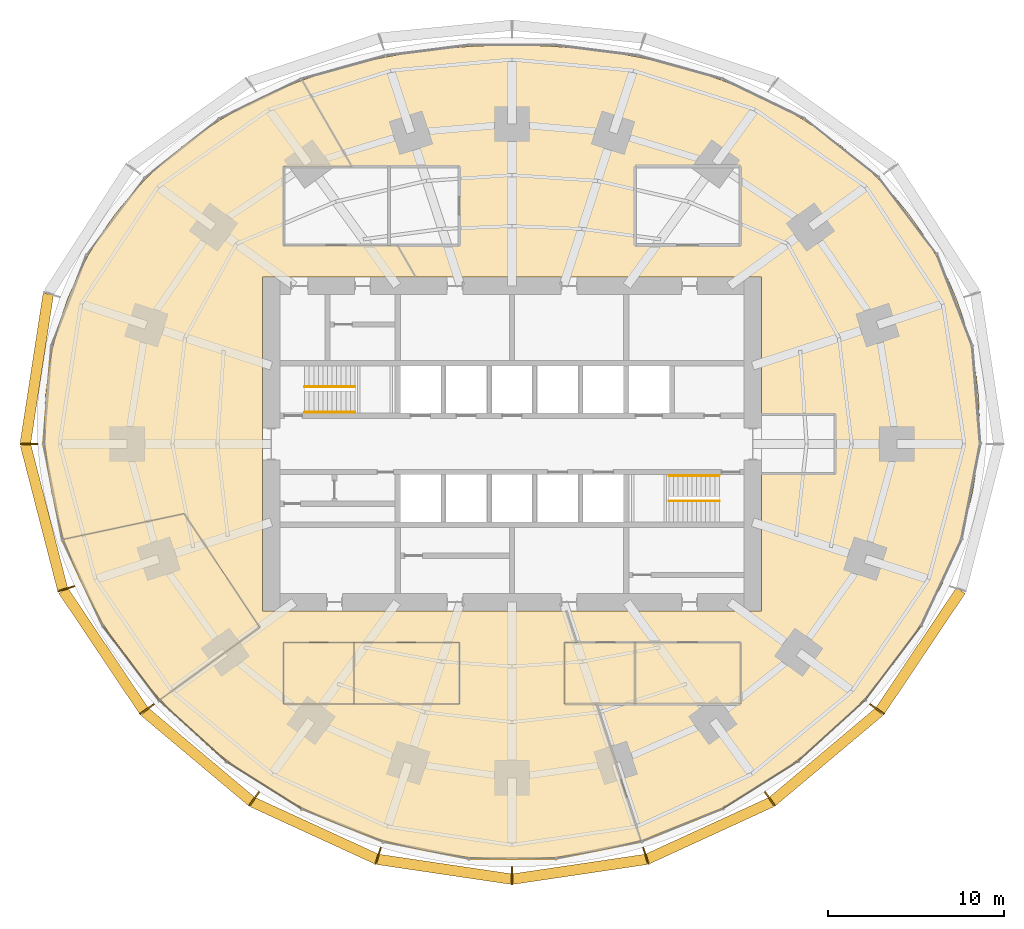
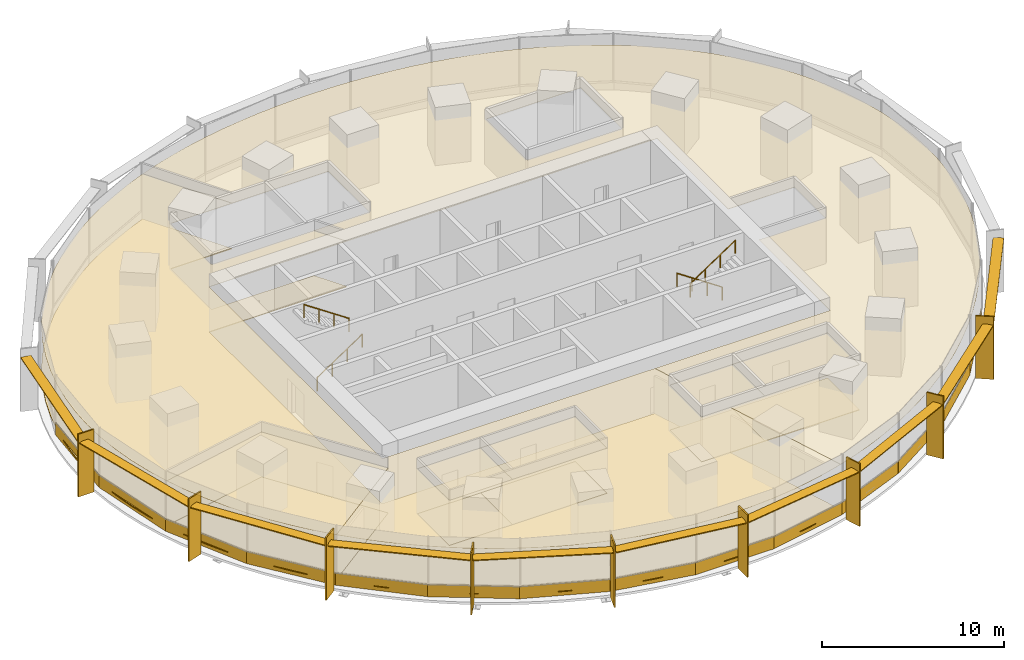
# One storey, part 14 of 15: 27 coverings, 19 shading devices, 4 railings.
"""IFC4 building model written with IfcOpenShell, lengths in metres."""

from ifc_helpers import new_model, si_unit, direction, frame, origin, origin_2d, place, context, subcontext, project, spatial, polyline, rectangle, circle, outline, extrude, material, layer, layer_set, type_object, element, save


model = new_model("IFC4")

# Units and contexts
model_context = context("Model", 3, precision=1e-05, world=origin(), true_north=direction((0.0, 1.0)))
body_context = subcontext(model_context, "Body", "Model", "MODEL_VIEW")
ifc_project = project(units=[si_unit("LENGTHUNIT", "METRE"), si_unit("AREAUNIT", "SQUARE_METRE"), si_unit("VOLUMEUNIT", "CUBIC_METRE"), si_unit("PLANEANGLEUNIT", "RADIAN"), si_unit("MASSUNIT", "GRAM", prefix="KILO")], contexts=[model_context])

# Site, building, storey
site_placement = place(None, origin())
site = spatial("IfcSite", under=ifc_project, at=site_placement, CompositionType="ELEMENT")
building_placement = place(site_placement, origin())
building = spatial("IfcBuilding", under=site, at=building_placement, Name="Marramba Exchange Tower", CompositionType="ELEMENT")
storey_placement = place(building_placement, frame((0.0, 0.0, 28.0)))
storey = spatial("IfcBuildingStorey", under=building, at=storey_placement, Name="L06", CompositionType="ELEMENT", Elevation=28.0)

# Shading devices
ifc_material_1 = material(Name="Aluminium blade, timber-look bronze finish", Category="wood")
ifc_layer_1 = layer(ifc_material_1, 0.080078125)
ifc_layer_set_1 = layer_set([ifc_layer_1], Name="Floor-edge blade 1000x80")
shading_device_type_1 = type_object("IfcShadingDeviceType", Name="Floor-edge blade 1000x80", PredefinedType="USERDEFINED", material=ifc_layer_set_1)
for number, where, z_axis, x_axis, name in (
    (1, (-27.5, 0.0, -0.16015625), (0.0, 0.0, 1.0), (-1.0, 0.0, 0.0), "Floor-edge blade FB1 L06 TC11"),
    (2, (-25.3740234375, -8.24462890625, -0.16015625), (0.0, 0.0, 1.0), (-0.951056516295, -0.309016994375, 0.0), "Floor-edge blade FB1 L06 TC12"),
    (3, (-20.773193359375, -15.092529296875, -0.16015625), (0.0, 0.0, 1.0), (-0.809016994375, -0.587785252292, 0.0), "Floor-edge blade FB1 L06 TC13"),
    (4, (-14.6787109375, -20.20361328125, -0.16015625), (0.0, 0.0, 1.0), (-0.587785252292, -0.809016994375, 0.0), "Floor-edge blade FB1 L06 TC14"),
    (5, (-7.61767578125, -23.444580078125, -0.16015625), (0.0, 0.0, 1.0), (-0.309016994375, -0.951056516295, 0.0), "Floor-edge blade FB1 L06 TC15"),
    (6, (0.0, -24.572021484375, -0.16015625), (0.0, 0.0, 1.0), (0.0, -1.0, 0.0), "Floor-edge blade FB1 L06 TC16"),
    (7, (7.61767578125, -23.444580078125, -0.16015625), (0.0, 0.0, 1.0), (0.309016994375, -0.951056516295, 0.0), "Floor-edge blade FB1 L06 TC17"),
    (8, (14.6787109375, -20.20361328125, -0.16015625), (0.0, 0.0, 1.0), (0.587785252292, -0.809016994375, 0.0), "Floor-edge blade FB1 L06 TC18"),
    (9, (20.773193359375, -15.092529296875, -0.16015625), (0.0, 0.0, 1.0), (0.809016994375, -0.587785252292, 0.0), "Floor-edge blade FB1 L06 TC19"),
):
    element("IfcShadingDevice", number, at=place(storey_placement, frame(where, z_axis=z_axis, x_axis=x_axis)), inside=storey, type_object=shading_device_type_1, Name=name, ObjectType="FIN", PredefinedType="USERDEFINED", context=body_context, shape_type="SweptSolid", body=[
        extrude(rectangle(XDim=1.0, YDim=0.080078125, at=origin_2d()), origin(), (0.0, 0.0, 1.0), 4.199951171875),
    ])

# Coverings
ifc_material_2 = material(Name="Steel raised access floor panels", Category="steel")
ifc_layer_2 = layer(ifc_material_2, 0.050048828125)
ifc_layer_set_2 = layer_set([ifc_layer_2], Name="Raised access floor 300")
covering_type_1 = type_object("IfcCoveringType", Name="Raised access floor 300", PredefinedType="FLOORING", material=ifc_layer_set_2)
covering_1_placement = place(storey_placement, frame((0.0, 0.0, 0.25)))
element("IfcCovering", 10, at=covering_1_placement, inside=storey, type_object=covering_type_1, Name="Raised access floor RAF1 L06 Derivatives Trading Floor", PredefinedType="FLOORING", context=body_context, shape_type="SweptSolid", body=[
    extrude(outline(polyline([(-14.199951171875, -9.5), (3.086669921875, -9.5), (3.671630859375, -11.300048828125), (3.0, -11.300048828125), (3.0, -14.800048828125), (4.808837890625, -14.800048828125), (7.330078125, -22.56005859375), (6.1328125, -22.8876953125), (4.92236328125, -23.15771484375), (3.701416015625, -23.368896484375), (2.47216796875, -23.5205078125), (1.2373046875, -23.611572265625), (0.0, -23.64208984375), (-1.2373046875, -23.611572265625), (-2.47216796875, -23.5205078125), (-3.701416015625, -23.368896484375), (-4.92236328125, -23.15771484375), (-6.1328125, -22.8876953125), (-7.330078125, -22.56005859375), (-8.512451171875, -22.17578125), (-9.677734375, -21.736328125), (-10.82373046875, -21.242919921875), (-11.94921875, -20.69677734375), (-13.052490234375, -20.09912109375), (-14.132080078125, -19.451171875), (-15.1865234375, -18.75390625), (-16.21435546875, -18.0078125), (-17.213623046875, -17.213623046875), (-18.1826171875, -16.371826171875), (-19.119384765625, -15.482421875), (-20.020751953125, -14.5458984375), (-14.357666015625, -10.431396484375), (-18.659423828125, -3.96630859375), (-25.50634765625, -5.421630859375), (-25.9013671875, -4.102294921875), (-26.213623046875, -2.755126953125), (-26.43798828125, -1.385498046875), (-26.570068359375, 0.0), (-26.6064453125, 1.394287109375), (-26.544921875, 2.7900390625), (-26.3837890625, 4.1787109375), (-26.123291015625, 5.552734375), (-25.763916015625, 6.9033203125), (-25.30859375, 8.22314453125), (-24.76025390625, 9.50439453125), (-24.12353515625, 10.740478515625), (-23.40380859375, 11.9248046875), (-22.607177734375, 13.05224609375), (-21.740478515625, 14.118408203125), (-20.810791015625, 15.119873046875), (-19.8251953125, 16.05419921875), (-18.791259765625, 16.919677734375), (-17.71630859375, 17.71630859375), (-16.60693359375, 18.44384765625), (-15.4697265625, 19.103759765625), (-14.31103515625, 19.697509765625), (-13.135986328125, 20.2275390625), (-11.94921875, 20.69677734375), (-9.1220703125, 15.800048828125), (-13.0, 15.800048828125), (-13.0, 11.300048828125), (-7.0, 11.300048828125), (-6.52392578125, 11.300048828125), (-5.48486328125, 9.5), (-14.199951171875, 9.5), (-14.199951171875, -9.5)]), holes=[polyline([(-13.0, -14.800048828125), (-9.0, -14.800048828125), (-3.0, -14.800048828125), (-3.0, -11.300048828125), (-9.0, -11.300048828125), (-13.0, -11.300048828125), (-13.0, -14.800048828125)])]), origin(), (0.0, 0.0, 1.0), 0.050048828125),
])
covering_2_placement = place(storey_placement, frame((0.0, 0.0, 0.25)))
element("IfcCovering", 11, at=covering_2_placement, inside=storey, type_object=covering_type_1, Name="Raised access floor RAF1 L06 Head of Desk Office", PredefinedType="FLOORING", context=body_context, shape_type="SweptSolid", body=[
    extrude(outline(polyline([(-20.29736328125, -14.230712890625), (-20.88427734375, -13.5625), (-21.7060546875, -12.531982421875), (-22.482177734375, -11.455322265625), (-23.157958984375, -10.41064453125), (-23.208251953125, -10.3330078125), (-23.879150390625, -9.166259765625), (-24.489501953125, -7.95703125), (-24.8916015625, -7.0341796875), (-25.033935546875, -6.707763671875), (-25.50634765625, -5.421630859375), (-18.659423828125, -3.96630859375), (-14.357666015625, -10.431396484375), (-20.020751953125, -14.5458984375), (-20.29736328125, -14.230712890625)])), origin(), (0.0, 0.0, 1.0), 0.050048828125),
])
covering_3_placement = place(storey_placement, frame((0.0, 0.0, 0.25)))
element("IfcCovering", 12, at=covering_3_placement, inside=storey, type_object=covering_type_1, Name="Raised access floor RAF1 L06 Print Room", PredefinedType="FLOORING", context=body_context, shape_type="SweptSolid", body=[
    extrude(outline(polyline([(-9.0, -14.800048828125), (-13.0, -14.800048828125), (-13.0, -11.300048828125), (-9.0, -11.300048828125), (-9.0, -14.800048828125)])), origin(), (0.0, 0.0, 1.0), 0.050048828125),
])
covering_4_placement = place(storey_placement, frame((0.0, 0.0, 0.25)))
element("IfcCovering", 13, at=covering_4_placement, inside=storey, type_object=covering_type_1, Name="Raised access floor RAF1 L06 Pantry", PredefinedType="FLOORING", context=body_context, shape_type="SweptSolid", body=[
    extrude(outline(polyline([(-3.0, -14.800048828125), (-9.0, -14.800048828125), (-9.0, -11.300048828125), (-3.0, -11.300048828125), (-3.0, -14.800048828125)])), origin(), (0.0, 0.0, 1.0), 0.050048828125),
])
covering_5_placement = place(storey_placement, frame((0.0, 0.0, 0.25)))
element("IfcCovering", 14, at=covering_5_placement, inside=storey, type_object=covering_type_1, Name="Raised access floor RAF1 L06 Quiet Room", PredefinedType="FLOORING", context=body_context, shape_type="SweptSolid", body=[
    extrude(outline(polyline([(7.0, -11.300048828125), (7.0, -14.800048828125), (3.0, -14.800048828125), (3.0, -11.300048828125), (7.0, -11.300048828125)])), origin(), (0.0, 0.0, 1.0), 0.050048828125),
])
covering_6_placement = place(storey_placement, frame((0.0, 0.0, 0.25)))
element("IfcCovering", 15, at=covering_6_placement, inside=storey, type_object=covering_type_1, Name="Raised access floor RAF1 L06 Meeting Room 2", PredefinedType="FLOORING", context=body_context, shape_type="SweptSolid", body=[
    extrude(outline(polyline([(13.0, -14.800048828125), (7.0, -14.800048828125), (7.0, -11.300048828125), (13.0, -11.300048828125), (13.0, -14.800048828125)])), origin(), (0.0, 0.0, 1.0), 0.050048828125),
])

# Shading devices
ifc_material_3 = material(Name="Aluminium sunshade, bronze anodised", Category="aluminium")
ifc_layer_3 = layer(ifc_material_3, 0.06005859375)
ifc_layer_set_3 = layer_set([ifc_layer_3], Name="SUNSHADE blade 600x60")
shading_device_type_2 = type_object("IfcShadingDeviceType", Name="SUNSHADE blade 600x60", PredefinedType="USERDEFINED", material=ifc_layer_set_3)
shading_device_1_placement = place(storey_placement, frame((-27.04150390625, 4.2861328125, 3.4599609375), z_axis=(0.0, 0.0, 1.0), x_axis=(-0.151825486228, -0.988407315701, 0.0)))
element("IfcShadingDevice", 16, at=shading_device_1_placement, inside=storey, type_object=shading_device_type_2, Name="Sunshade SS1 L06 bay 10", ObjectType="SUNSHADE", PredefinedType="USERDEFINED", context=body_context, shape_type="SweptSolid", body=[
    extrude(rectangle(XDim=8.593017578125, YDim=0.60009765625, at=origin_2d()), origin(), (0.0, 0.0, 1.0), 0.06005859375),
])
shading_device_2_placement = place(storey_placement, frame((-26.632080078125, -4.153076171875, 3.4599609375), z_axis=(0.0, 0.0, 1.0), x_axis=(0.249024641331, -0.968497149201, 0.0)))
element("IfcShadingDevice", 17, at=shading_device_2_placement, inside=storey, type_object=shading_device_type_2, Name="Sunshade SS1 L06 bay 11", ObjectType="SUNSHADE", PredefinedType="USERDEFINED", context=body_context, shape_type="SweptSolid", body=[
    extrude(rectangle(XDim=8.49658203125, YDim=0.60009765625, at=origin_2d()), origin(), (0.0, 0.0, 1.0), 0.06005859375),
])
shading_device_3_placement = place(storey_placement, frame((-23.24951171875, -11.75830078125, 3.4599609375), z_axis=(0.0, 0.0, 1.0), x_axis=(0.556924164761, -0.830563347798, 0.0)))
element("IfcShadingDevice", 18, at=shading_device_3_placement, inside=storey, type_object=shading_device_type_2, Name="Sunshade SS1 L06 bay 12", ObjectType="SUNSHADE", PredefinedType="USERDEFINED", context=body_context, shape_type="SweptSolid", body=[
    extrude(rectangle(XDim=8.232177734375, YDim=0.60009765625, at=origin_2d()), origin(), (0.0, 0.0, 1.0), 0.06005859375),
])
shading_device_4_placement = place(storey_placement, frame((-17.86572265625, -17.787841796875, 3.4599609375), z_axis=(0.0, 0.0, 1.0), x_axis=(0.765776068523, -0.643107310546, 0.0)))
element("IfcShadingDevice", 19, at=shading_device_4_placement, inside=storey, type_object=shading_device_type_2, Name="Sunshade SS1 L06 bay 13", ObjectType="SUNSHADE", PredefinedType="USERDEFINED", context=body_context, shape_type="SweptSolid", body=[
    extrude(rectangle(XDim=7.936279296875, YDim=0.60009765625, at=origin_2d()), origin(), (0.0, 0.0, 1.0), 0.06005859375),
])
shading_device_5_placement = place(storey_placement, frame((-11.23779296875, -22.0, 3.4599609375), z_axis=(0.0, 0.0, 1.0), x_axis=(0.908703542008, -0.417442059144, 0.0)))
element("IfcShadingDevice", 20, at=shading_device_5_placement, inside=storey, type_object=shading_device_type_2, Name="Sunshade SS1 L06 bay 14", ObjectType="SUNSHADE", PredefinedType="USERDEFINED", context=body_context, shape_type="SweptSolid", body=[
    extrude(rectangle(XDim=7.751953125, YDim=0.60009765625, at=origin_2d()), origin(), (0.0, 0.0, 1.0), 0.06005859375),
])
for number, where, z_axis, x_axis, name in (
    (21, (-3.839599609375, -24.203369140625, 3.4599609375), (0.0, 0.0, 1.0), (0.989212895923, -0.146484970356, 0.0), "Sunshade SS1 L06 bay 15"),
    (22, (3.839599609375, -24.203369140625, 3.4599609375), (0.0, 0.0, 1.0), (0.989212895923, 0.146484970356, 0.0), "Sunshade SS1 L06 bay 16"),
):
    element("IfcShadingDevice", number, at=place(storey_placement, frame(where, z_axis=z_axis, x_axis=x_axis)), inside=storey, type_object=shading_device_type_2, Name=name, ObjectType="SUNSHADE", PredefinedType="USERDEFINED", context=body_context, shape_type="SweptSolid", body=[
        extrude(rectangle(XDim=7.68310546875, YDim=0.60009765625, at=origin_2d()), origin(), (0.0, 0.0, 1.0), 0.06005859375),
    ])
shading_device_6_placement = place(storey_placement, frame((11.23779296875, -22.0, 3.4599609375), z_axis=(0.0, 0.0, 1.0), x_axis=(0.908703542008, 0.417442059144, 0.0)))
element("IfcShadingDevice", 23, at=shading_device_6_placement, inside=storey, type_object=shading_device_type_2, Name="Sunshade SS1 L06 bay 17", ObjectType="SUNSHADE", PredefinedType="USERDEFINED", context=body_context, shape_type="SweptSolid", body=[
    extrude(rectangle(XDim=7.751953125, YDim=0.60009765625, at=origin_2d()), origin(), (0.0, 0.0, 1.0), 0.06005859375),
])
shading_device_7_placement = place(storey_placement, frame((17.86572265625, -17.787841796875, 3.4599609375), z_axis=(0.0, 0.0, 1.0), x_axis=(0.765776068523, 0.643107310546, 0.0)))
element("IfcShadingDevice", 24, at=shading_device_7_placement, inside=storey, type_object=shading_device_type_2, Name="Sunshade SS1 L06 bay 18", ObjectType="SUNSHADE", PredefinedType="USERDEFINED", context=body_context, shape_type="SweptSolid", body=[
    extrude(rectangle(XDim=7.936279296875, YDim=0.60009765625, at=origin_2d()), origin(), (0.0, 0.0, 1.0), 0.06005859375),
])
shading_device_8_placement = place(storey_placement, frame((23.24951171875, -11.75830078125, 3.4599609375), z_axis=(0.0, 0.0, 1.0), x_axis=(0.556924164761, 0.830563347798, 0.0)))
element("IfcShadingDevice", 25, at=shading_device_8_placement, inside=storey, type_object=shading_device_type_2, Name="Sunshade SS1 L06 bay 19", ObjectType="SUNSHADE", PredefinedType="USERDEFINED", context=body_context, shape_type="SweptSolid", body=[
    extrude(rectangle(XDim=8.232177734375, YDim=0.60009765625, at=origin_2d()), origin(), (0.0, 0.0, 1.0), 0.06005859375),
])

# Coverings
ifc_material_4 = material(Name="Aluminium spandrel panel, bronze anodised, insulated", Category="aluminium")
ifc_layer_4 = layer(ifc_material_4, 0.050048828125)
ifc_layer_set_4 = layer_set([ifc_layer_4], Name="Spandrel panel 800")
covering_type_2 = type_object("IfcCoveringType", Name="Spandrel panel 800", PredefinedType="CLADDING", material=ifc_layer_set_4)
covering_7_placement = place(storey_placement, frame((-26.42578125, 2.78466796875, 0.0), z_axis=(0.0, 0.0, 1.0), x_axis=(-0.080275227657, -0.996772736297, 0.0)))
element("IfcCovering", 26, at=covering_7_placement, inside=storey, type_object=covering_type_2, Name="Spandrel panel SP1 L06 F15", PredefinedType="CLADDING", context=body_context, shape_type="SweptSolid", body=[
    extrude(rectangle(XDim=5.58740234375, YDim=0.050048828125, at=origin_2d()), origin(), (0.0, 0.0, 1.0), 0.800048828125),
])
covering_8_placement = place(storey_placement, frame((-26.117431640625, -2.718994140625, 0.0), z_axis=(0.0, 0.0, 1.0), x_axis=(0.19224858127, -0.981346260501, 0.0)))
element("IfcCovering", 27, at=covering_8_placement, inside=storey, type_object=covering_type_2, Name="Spandrel panel SP1 L06 F16", PredefinedType="CLADDING", context=body_context, shape_type="SweptSolid", body=[
    extrude(rectangle(XDim=5.54150390625, YDim=0.050048828125, at=origin_2d()), origin(), (0.0, 0.0, 1.0), 0.800048828125),
])
covering_9_placement = place(storey_placement, frame((-24.432861328125, -7.90185546875, 0.0), z_axis=(0.0, 0.0, 1.0), x_axis=(0.423477213559, -0.905906755464, 0.0)))
element("IfcCovering", 28, at=covering_9_placement, inside=storey, type_object=covering_type_2, Name="Spandrel panel SP1 L06 F17", PredefinedType="CLADDING", context=body_context, shape_type="SweptSolid", body=[
    extrude(rectangle(XDim=5.439208984375, YDim=0.050048828125, at=origin_2d()), origin(), (0.0, 0.0, 1.0), 0.800048828125),
])
covering_10_placement = place(storey_placement, frame((-21.683349609375, -12.479248046875, 0.0), z_axis=(0.0, 0.0, 1.0), x_axis=(0.603040469481, -0.797710594243, 0.0)))
element("IfcCovering", 29, at=covering_10_placement, inside=storey, type_object=covering_type_2, Name="Spandrel panel SP1 L06 F18", PredefinedType="CLADDING", context=body_context, shape_type="SweptSolid", body=[
    extrude(rectangle(XDim=5.299560546875, YDim=0.050048828125, at=origin_2d()), origin(), (0.0, 0.0, 1.0), 0.800048828125),
])
covering_11_placement = place(storey_placement, frame((-18.1767578125, -16.330078125, 0.0), z_axis=(0.0, 0.0, 1.0), x_axis=(0.739589582203, -0.673058132628, 0.0)))
element("IfcCovering", 30, at=covering_11_placement, inside=storey, type_object=covering_type_2, Name="Spandrel panel SP1 L06 F19", PredefinedType="CLADDING", context=body_context, shape_type="SweptSolid", body=[
    extrude(rectangle(XDim=5.161865234375, YDim=0.050048828125, at=origin_2d()), origin(), (0.0, 0.0, 1.0), 0.800048828125),
])
covering_12_placement = place(storey_placement, frame((-14.128662109375, -19.416748046875, 0.0), z_axis=(0.0, 0.0, 1.0), x_axis=(0.845790829799, -0.533514641062, 0.0)))
element("IfcCovering", 31, at=covering_12_placement, inside=storey, type_object=covering_type_2, Name="Spandrel panel SP1 L06 F20", PredefinedType="CLADDING", context=body_context, shape_type="SweptSolid", body=[
    extrude(rectangle(XDim=5.05859375, YDim=0.050048828125, at=origin_2d()), origin(), (0.0, 0.0, 1.0), 0.800048828125),
])
covering_13_placement = place(storey_placement, frame((-9.672119140625, -21.701171875, 0.0), z_axis=(0.0, 0.0, 1.0), x_axis=(0.927340675001, -0.374218215069, 0.0)))
element("IfcCovering", 32, at=covering_13_placement, inside=storey, type_object=covering_type_2, Name="Spandrel panel SP1 L06 F21", PredefinedType="CLADDING", context=body_context, shape_type="SweptSolid", body=[
    extrude(rectangle(XDim=4.99755859375, YDim=0.050048828125, at=origin_2d()), origin(), (0.0, 0.0, 1.0), 0.800048828125),
])
covering_14_placement = place(storey_placement, frame((-4.917724609375, -23.1181640625, 0.0), z_axis=(0.0, 0.0, 1.0), x_axis=(0.981009201842, -0.193961196898, 0.0)))
element("IfcCovering", 33, at=covering_14_placement, inside=storey, type_object=covering_type_2, Name="Spandrel panel SP1 L06 F22", PredefinedType="CLADDING", context=body_context, shape_type="SweptSolid", body=[
    extrude(rectangle(XDim=4.96875, YDim=0.050048828125, at=origin_2d()), origin(), (0.0, 0.0, 1.0), 0.800048828125),
])
covering_15_placement = place(storey_placement, frame((0.0, -23.599853515625, 0.0), z_axis=(0.0, 0.0, 1.0), x_axis=(1.0, 0.0, 0.0)))
element("IfcCovering", 34, at=covering_15_placement, inside=storey, type_object=covering_type_2, Name="Spandrel panel SP1 L06 F23", PredefinedType="CLADDING", context=body_context, shape_type="SweptSolid", body=[
    extrude(rectangle(XDim=4.9609375, YDim=0.050048828125, at=origin_2d()), origin(), (0.0, 0.0, 1.0), 0.800048828125),
])
covering_16_placement = place(storey_placement, frame((4.917724609375, -23.1181640625, 0.0), z_axis=(0.0, 0.0, 1.0), x_axis=(0.981009201842, 0.193961196898, 0.0)))
element("IfcCovering", 35, at=covering_16_placement, inside=storey, type_object=covering_type_2, Name="Spandrel panel SP1 L06 F24", PredefinedType="CLADDING", context=body_context, shape_type="SweptSolid", body=[
    extrude(rectangle(XDim=4.96875, YDim=0.050048828125, at=origin_2d()), origin(), (0.0, 0.0, 1.0), 0.800048828125),
])
covering_17_placement = place(storey_placement, frame((9.672119140625, -21.701171875, 0.0), z_axis=(0.0, 0.0, 1.0), x_axis=(0.927340675001, 0.374218215069, 0.0)))
element("IfcCovering", 36, at=covering_17_placement, inside=storey, type_object=covering_type_2, Name="Spandrel panel SP1 L06 F25", PredefinedType="CLADDING", context=body_context, shape_type="SweptSolid", body=[
    extrude(rectangle(XDim=4.99755859375, YDim=0.050048828125, at=origin_2d()), origin(), (0.0, 0.0, 1.0), 0.800048828125),
])
covering_18_placement = place(storey_placement, frame((14.128662109375, -19.416748046875, 0.0), z_axis=(0.0, 0.0, 1.0), x_axis=(0.845790829799, 0.533514641062, 0.0)))
element("IfcCovering", 37, at=covering_18_placement, inside=storey, type_object=covering_type_2, Name="Spandrel panel SP1 L06 F26", PredefinedType="CLADDING", context=body_context, shape_type="SweptSolid", body=[
    extrude(rectangle(XDim=5.05859375, YDim=0.050048828125, at=origin_2d()), origin(), (0.0, 0.0, 1.0), 0.800048828125),
])
covering_19_placement = place(storey_placement, frame((18.1767578125, -16.330078125, 0.0), z_axis=(0.0, 0.0, 1.0), x_axis=(0.739589582203, 0.673058132628, 0.0)))
element("IfcCovering", 38, at=covering_19_placement, inside=storey, type_object=covering_type_2, Name="Spandrel panel SP1 L06 F27", PredefinedType="CLADDING", context=body_context, shape_type="SweptSolid", body=[
    extrude(rectangle(XDim=5.161865234375, YDim=0.050048828125, at=origin_2d()), origin(), (0.0, 0.0, 1.0), 0.800048828125),
])
covering_20_placement = place(storey_placement, frame((21.683349609375, -12.479248046875, 0.0), z_axis=(0.0, 0.0, 1.0), x_axis=(0.603040469481, 0.797710594243, 0.0)))
element("IfcCovering", 39, at=covering_20_placement, inside=storey, type_object=covering_type_2, Name="Spandrel panel SP1 L06 F28", PredefinedType="CLADDING", context=body_context, shape_type="SweptSolid", body=[
    extrude(rectangle(XDim=5.299560546875, YDim=0.050048828125, at=origin_2d()), origin(), (0.0, 0.0, 1.0), 0.800048828125),
])

# Railings
ifc_material_5 = material(Name="Stainless steel handrail", Category="steel")
railing_type = type_object("IfcRailingType", Name="Stair handrail 900", PredefinedType="HANDRAIL", material=ifc_material_5)
railing_1_placement = place(storey_placement, frame((-11.800048828125, 1.800048828125, 0.175048828125)))
element("IfcRailing", 40, at=railing_1_placement, inside=storey, type_object=railing_type, Name="Handrail HR1 ST1 L06 flight 1", PredefinedType="HANDRAIL", context=body_context, shape_type="SweptSolid", body=[
    extrude(circle(Radius=0.02392578125, at=origin_2d()), frame((0.0, 0.0, 0.8759765625), z_axis=(0.829590901723, 0.0, 0.558371682465), x_axis=(0.0, 1.0, 0.0)), (0.0, 0.0, 1.0), 3.447509765625),
    extrude(circle(Radius=0.02099609375, at=origin_2d()), origin(), (0.0, 0.0, 1.0), 0.851806640625),
    extrude(circle(Radius=0.02099609375, at=origin_2d()), frame((0.953369140625, 0.0, 0.6416015625)), (0.0, 0.0, 1.0), 0.851806640625),
    extrude(circle(Radius=0.02099609375, at=origin_2d()), frame((1.90673828125, 0.0, 1.283447265625)), (0.0, 0.0, 1.0), 0.851806640625),
    extrude(circle(Radius=0.02099609375, at=origin_2d()), frame((2.860107421875, 0.0, 1.925048828125)), (0.0, 0.0, 1.0), 0.851806640625),
])
for number, where, name in (
    (41, (-8.93994140625, 3.25, 2.27490234375), "Handrail HR1 ST1 L06 flight 2"),
    (42, (11.800048828125, -1.800048828125, 0.175048828125), "Handrail HR1 ST2 L06 flight 1"),
):
    element("IfcRailing", number, at=place(storey_placement, frame(where)), inside=storey, type_object=railing_type, Name=name, PredefinedType="HANDRAIL", context=body_context, shape_type="SweptSolid", body=[
        extrude(circle(Radius=0.02392578125, at=origin_2d()), frame((0.0, 0.0, 0.8759765625), z_axis=(-0.829590901723, 0.0, 0.558371682465), x_axis=(0.0, -1.0, 0.0)), (0.0, 0.0, 1.0), 3.447509765625),
        extrude(circle(Radius=0.02099609375, at=origin_2d()), origin(), (0.0, 0.0, 1.0), 0.851806640625),
        extrude(circle(Radius=0.02099609375, at=origin_2d()), frame((-0.953369140625, 0.0, 0.6416015625)), (0.0, 0.0, 1.0), 0.851806640625),
        extrude(circle(Radius=0.02099609375, at=origin_2d()), frame((-1.90673828125, 0.0, 1.283447265625)), (0.0, 0.0, 1.0), 0.851806640625),
        extrude(circle(Radius=0.02099609375, at=origin_2d()), frame((-2.860107421875, 0.0, 1.925048828125)), (0.0, 0.0, 1.0), 0.851806640625),
    ])
railing_2_placement = place(storey_placement, frame((8.93994140625, -3.25, 2.27490234375)))
element("IfcRailing", 43, at=railing_2_placement, inside=storey, type_object=railing_type, Name="Handrail HR1 ST2 L06 flight 2", PredefinedType="HANDRAIL", context=body_context, shape_type="SweptSolid", body=[
    extrude(circle(Radius=0.02392578125, at=origin_2d()), frame((0.0, 0.0, 0.8759765625), z_axis=(0.829590901723, 0.0, 0.558371682465), x_axis=(0.0, 1.0, 0.0)), (0.0, 0.0, 1.0), 3.447509765625),
    extrude(circle(Radius=0.02099609375, at=origin_2d()), origin(), (0.0, 0.0, 1.0), 0.851806640625),
    extrude(circle(Radius=0.02099609375, at=origin_2d()), frame((0.953369140625, 0.0, 0.6416015625)), (0.0, 0.0, 1.0), 0.851806640625),
    extrude(circle(Radius=0.02099609375, at=origin_2d()), frame((1.90673828125, 0.0, 1.283447265625)), (0.0, 0.0, 1.0), 0.851806640625),
    extrude(circle(Radius=0.02099609375, at=origin_2d()), frame((2.860107421875, 0.0, 1.925048828125)), (0.0, 0.0, 1.0), 0.851806640625),
])

# Coverings
ifc_material_6 = material(Name="Mineral fibre ceiling tiles", Category="gypsum")
ifc_layer_5 = layer(ifc_material_6, 0.02001953125)
ifc_layer_set_5 = layer_set([ifc_layer_5], Name="Suspended ceiling 20")
covering_type_3 = type_object("IfcCoveringType", Name="Suspended ceiling 20", PredefinedType="CEILING", material=ifc_layer_set_5)
covering_21_placement = place(storey_placement, frame((0.0, 0.0, 3.300048828125)))
element("IfcCovering", 44, at=covering_21_placement, inside=storey, type_object=covering_type_3, Name="Ceiling CL1 L06 Equities Trading Floor", PredefinedType="CEILING", context=body_context, shape_type="SweptSolid", body=[
    extrude(outline(polyline([(14.199951171875, -1.699951171875), (18.39990234375, -1.699951171875), (18.39990234375, 1.699951171875), (14.199951171875, 1.699951171875), (14.199951171875, 9.5), (-5.48486328125, 9.5), (-6.52392578125, 11.300048828125), (-3.0, 11.300048828125), (-3.0, 15.800048828125), (-7.0, 15.800048828125), (-9.1220703125, 15.800048828125), (-11.94921875, 20.69677734375), (-10.755126953125, 21.10791015625), (-9.556640625, 21.464599609375), (-8.356689453125, 21.76953125), (-7.15673828125, 22.0263671875), (-5.95849609375, 22.23779296875), (-4.7626953125, 22.406982421875), (-3.5693359375, 22.535888671875), (-2.378173828125, 22.62646484375), (-1.188720703125, 22.68017578125), (0.0, 22.697998046875), (1.188720703125, 22.68017578125), (2.378173828125, 22.62646484375), (3.5693359375, 22.535888671875), (4.7626953125, 22.406982421875), (5.95849609375, 22.23779296875), (7.15673828125, 22.0263671875), (8.356689453125, 21.76953125), (9.556640625, 21.464599609375), (10.755126953125, 21.10791015625), (11.94921875, 20.69677734375), (13.135986328125, 20.2275390625), (14.31103515625, 19.697509765625), (15.4697265625, 19.103759765625), (16.60693359375, 18.44384765625), (17.71630859375, 17.71630859375), (18.791259765625, 16.919677734375), (19.8251953125, 16.05419921875), (20.810791015625, 15.119873046875), (21.740478515625, 14.118408203125), (22.607177734375, 13.05224609375), (23.40380859375, 11.9248046875), (24.12353515625, 10.740478515625), (24.76025390625, 9.50439453125), (25.30859375, 8.22314453125), (25.763916015625, 6.9033203125), (26.123291015625, 5.552734375), (26.3837890625, 4.1787109375), (26.544921875, 2.7900390625), (26.6064453125, 1.394287109375), (26.570068359375, 0.0), (26.43798828125, -1.385498046875), (26.213623046875, -2.755126953125), (25.9013671875, -4.102294921875), (25.50634765625, -5.421630859375), (25.033935546875, -6.707763671875), (24.489501953125, -7.95703125), (23.879150390625, -9.166259765625), (23.208251953125, -10.3330078125), (22.482177734375, -11.455322265625), (21.7060546875, -12.531982421875), (20.88427734375, -13.5625), (20.020751953125, -14.5458984375), (19.119384765625, -15.482421875), (18.1826171875, -16.371826171875), (17.213623046875, -17.213623046875), (16.21435546875, -18.0078125), (15.1865234375, -18.75390625), (14.132080078125, -19.451171875), (13.052490234375, -20.09912109375), (11.94921875, -20.69677734375), (10.82373046875, -21.242919921875), (9.677734375, -21.736328125), (8.512451171875, -22.17578125), (7.330078125, -22.56005859375), (4.808837890625, -14.800048828125), (7.0, -14.800048828125), (13.0, -14.800048828125), (13.0, -11.300048828125), (7.0, -11.300048828125), (3.671630859375, -11.300048828125), (3.086669921875, -9.5), (14.199951171875, -9.5), (14.199951171875, -1.699951171875)]), holes=[polyline([(7.0, 15.800048828125), (7.0, 11.300048828125), (13.0, 11.300048828125), (13.0, 15.800048828125), (7.0, 15.800048828125)])]), origin(), (0.0, 0.0, 1.0), 0.02001953125),
])
covering_22_placement = place(storey_placement, frame((0.0, 0.0, 3.300048828125)))
element("IfcCovering", 45, at=covering_22_placement, inside=storey, type_object=covering_type_3, Name="Ceiling CL1 L06 Derivatives Trading Floor", PredefinedType="CEILING", context=body_context, shape_type="SweptSolid", body=[
    extrude(outline(polyline([(-14.199951171875, -9.5), (3.086669921875, -9.5), (3.671630859375, -11.300048828125), (3.0, -11.300048828125), (3.0, -14.800048828125), (4.808837890625, -14.800048828125), (7.330078125, -22.56005859375), (6.1328125, -22.8876953125), (4.92236328125, -23.15771484375), (3.701416015625, -23.368896484375), (2.47216796875, -23.5205078125), (1.2373046875, -23.611572265625), (0.0, -23.64208984375), (-1.2373046875, -23.611572265625), (-2.47216796875, -23.5205078125), (-3.701416015625, -23.368896484375), (-4.92236328125, -23.15771484375), (-6.1328125, -22.8876953125), (-7.330078125, -22.56005859375), (-8.512451171875, -22.17578125), (-9.677734375, -21.736328125), (-10.82373046875, -21.242919921875), (-11.94921875, -20.69677734375), (-13.052490234375, -20.09912109375), (-14.132080078125, -19.451171875), (-15.1865234375, -18.75390625), (-16.21435546875, -18.0078125), (-17.213623046875, -17.213623046875), (-18.1826171875, -16.371826171875), (-19.119384765625, -15.482421875), (-20.020751953125, -14.5458984375), (-14.357666015625, -10.431396484375), (-18.659423828125, -3.96630859375), (-25.50634765625, -5.421630859375), (-25.9013671875, -4.102294921875), (-26.213623046875, -2.755126953125), (-26.43798828125, -1.385498046875), (-26.570068359375, 0.0), (-26.6064453125, 1.394287109375), (-26.544921875, 2.7900390625), (-26.3837890625, 4.1787109375), (-26.123291015625, 5.552734375), (-25.763916015625, 6.9033203125), (-25.30859375, 8.22314453125), (-24.76025390625, 9.50439453125), (-24.12353515625, 10.740478515625), (-23.40380859375, 11.9248046875), (-22.607177734375, 13.05224609375), (-21.740478515625, 14.118408203125), (-20.810791015625, 15.119873046875), (-19.8251953125, 16.05419921875), (-18.791259765625, 16.919677734375), (-17.71630859375, 17.71630859375), (-16.60693359375, 18.44384765625), (-15.4697265625, 19.103759765625), (-14.31103515625, 19.697509765625), (-13.135986328125, 20.2275390625), (-11.94921875, 20.69677734375), (-9.1220703125, 15.800048828125), (-13.0, 15.800048828125), (-13.0, 11.300048828125), (-7.0, 11.300048828125), (-6.52392578125, 11.300048828125), (-5.48486328125, 9.5), (-14.199951171875, 9.5), (-14.199951171875, -9.5)]), holes=[polyline([(-13.0, -14.800048828125), (-9.0, -14.800048828125), (-3.0, -14.800048828125), (-3.0, -11.300048828125), (-9.0, -11.300048828125), (-13.0, -11.300048828125), (-13.0, -14.800048828125)])]), origin(), (0.0, 0.0, 1.0), 0.02001953125),
])
covering_23_placement = place(storey_placement, frame((0.0, 0.0, 3.300048828125)))
element("IfcCovering", 46, at=covering_23_placement, inside=storey, type_object=covering_type_3, Name="Ceiling CL1 L06 Head of Desk Office", PredefinedType="CEILING", context=body_context, shape_type="SweptSolid", body=[
    extrude(outline(polyline([(-20.29736328125, -14.230712890625), (-20.88427734375, -13.5625), (-21.7060546875, -12.531982421875), (-22.482177734375, -11.455322265625), (-23.157958984375, -10.41064453125), (-23.208251953125, -10.3330078125), (-23.879150390625, -9.166259765625), (-24.489501953125, -7.95703125), (-24.8916015625, -7.0341796875), (-25.033935546875, -6.707763671875), (-25.50634765625, -5.421630859375), (-18.659423828125, -3.96630859375), (-14.357666015625, -10.431396484375), (-20.020751953125, -14.5458984375), (-20.29736328125, -14.230712890625)])), origin(), (0.0, 0.0, 1.0), 0.02001953125),
])
covering_24_placement = place(storey_placement, frame((0.0, 0.0, 3.300048828125)))
element("IfcCovering", 47, at=covering_24_placement, inside=storey, type_object=covering_type_3, Name="Ceiling CL1 L06 Print Room", PredefinedType="CEILING", context=body_context, shape_type="SweptSolid", body=[
    extrude(outline(polyline([(-9.0, -14.800048828125), (-13.0, -14.800048828125), (-13.0, -11.300048828125), (-9.0, -11.300048828125), (-9.0, -14.800048828125)])), origin(), (0.0, 0.0, 1.0), 0.02001953125),
])
covering_25_placement = place(storey_placement, frame((0.0, 0.0, 3.300048828125)))
element("IfcCovering", 48, at=covering_25_placement, inside=storey, type_object=covering_type_3, Name="Ceiling CL1 L06 Pantry", PredefinedType="CEILING", context=body_context, shape_type="SweptSolid", body=[
    extrude(outline(polyline([(-3.0, -14.800048828125), (-9.0, -14.800048828125), (-9.0, -11.300048828125), (-3.0, -11.300048828125), (-3.0, -14.800048828125)])), origin(), (0.0, 0.0, 1.0), 0.02001953125),
])
covering_26_placement = place(storey_placement, frame((0.0, 0.0, 3.300048828125)))
element("IfcCovering", 49, at=covering_26_placement, inside=storey, type_object=covering_type_3, Name="Ceiling CL1 L06 Quiet Room", PredefinedType="CEILING", context=body_context, shape_type="SweptSolid", body=[
    extrude(outline(polyline([(7.0, -11.300048828125), (7.0, -14.800048828125), (3.0, -14.800048828125), (3.0, -11.300048828125), (7.0, -11.300048828125)])), origin(), (0.0, 0.0, 1.0), 0.02001953125),
])
covering_27_placement = place(storey_placement, frame((0.0, 0.0, 3.300048828125)))
element("IfcCovering", 50, at=covering_27_placement, inside=storey, type_object=covering_type_3, Name="Ceiling CL1 L06 Meeting Room 2", PredefinedType="CEILING", context=body_context, shape_type="SweptSolid", body=[
    extrude(outline(polyline([(13.0, -14.800048828125), (7.0, -14.800048828125), (7.0, -11.300048828125), (13.0, -11.300048828125), (13.0, -14.800048828125)])), origin(), (0.0, 0.0, 1.0), 0.02001953125),
])

save(model, "model.ifc")
